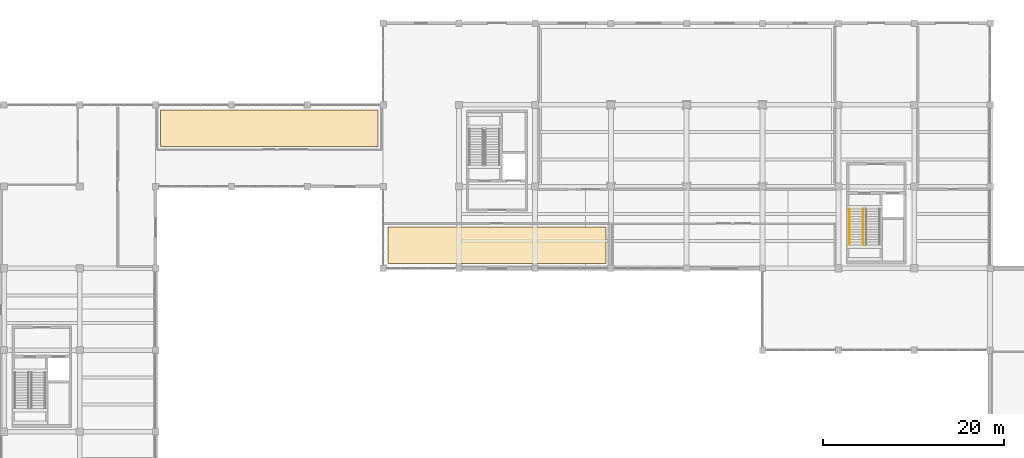
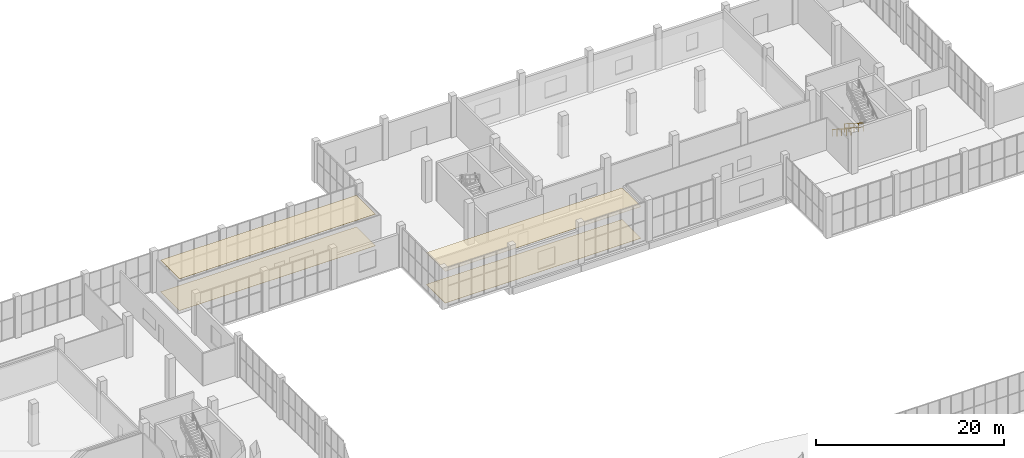
# One storey, part 89 of 91: 4 coverings, 2 railings.
"""IFC4 building model written with IfcOpenShell, lengths in metres."""

from ifc_helpers import new_model, si_unit, direction, frame, origin, origin_2d, place, context, subcontext, project, spatial, polyline, circle, outline, extrude, material, layer, layer_set, type_object, element, save


model = new_model("IFC4")

# Units and contexts
model_context = context("Model", 3, precision=1e-05, world=origin(), true_north=direction((0.0, 1.0)))
body_context = subcontext(model_context, "Body", "Model", "MODEL_VIEW")
ifc_project = project(units=[si_unit("LENGTHUNIT", "METRE"), si_unit("AREAUNIT", "SQUARE_METRE"), si_unit("VOLUMEUNIT", "CUBIC_METRE"), si_unit("PLANEANGLEUNIT", "RADIAN"), si_unit("MASSUNIT", "GRAM", prefix="KILO")], contexts=[model_context])

# Site, building, storey
site_placement = place(None, origin())
site = spatial("IfcSite", under=ifc_project, at=site_placement, CompositionType="ELEMENT")
building_placement = place(site_placement, origin())
building = spatial("IfcBuilding", under=site, at=building_placement, Name="Khurvash Pelagic Aquarium", CompositionType="ELEMENT")
storey_placement = place(building_placement, origin())
storey = spatial("IfcBuildingStorey", under=building, at=storey_placement, Name="L00", CompositionType="ELEMENT", Elevation=0.0)

# Coverings
ifc_material_1 = material(Name="Moisture-resistant acoustic mineral-fibre ceiling", Category="finish")
ifc_layer_1 = layer(ifc_material_1, 0.02490234375)
ifc_layer_set_1 = layer_set([ifc_layer_1], Name="Moisture-resistant acoustic mineral-fibre ceiling")
covering_type_1 = type_object("IfcCoveringType", Name="CV-CLG", PredefinedType="CEILING", material=ifc_layer_set_1)
covering_1_placement = place(storey_placement, frame((0.0, 0.0, 4.114990234375)))
element("IfcCovering", 1, at=covering_1_placement, inside=storey, type_object=covering_type_1, Name="L00 Dry Feed and Salt Bag Store Suspended Acoustic Ceiling", PredefinedType="CEILING", context=body_context, shape_type="SweptSolid", body=[
    extrude(outline(polyline([(58.25, 97.550048828125), (58.25, 101.60009765625), (34.14990234375, 101.60009765625), (34.14990234375, 97.550048828125), (58.25, 97.550048828125)])), origin(), (0.0, 0.0, 1.0), 0.02490234375),
])
covering_2_placement = place(storey_placement, frame((0.0, 0.0, 4.114990234375)))
element("IfcCovering", 2, at=covering_2_placement, inside=storey, type_object=covering_type_1, Name="L00 Primary Marine Quarantine Tank Suite Suspended Acoustic Ceiling", PredefinedType="CEILING", context=body_context, shape_type="SweptSolid", body=[
    extrude(outline(polyline([(83.449951171875, 84.60009765625), (83.449951171875, 88.64990234375), (59.35009765625, 88.64990234375), (59.35009765625, 84.60009765625), (83.449951171875, 84.60009765625)])), origin(), (0.0, 0.0, 1.0), 0.02490234375),
])
ifc_material_2 = material(Name="Slip-resistant terrazzo and epoxy resin flooring", Category="finish")
ifc_layer_2 = layer(ifc_material_2, 0.02001953125)
ifc_layer_set_2 = layer_set([ifc_layer_2], Name="Slip-resistant terrazzo and epoxy resin flooring")
covering_type_2 = type_object("IfcCoveringType", Name="CV-FLR", PredefinedType="FLOORING", material=ifc_layer_set_2)
covering_3_placement = place(storey_placement, origin())
element("IfcCovering", 3, at=covering_3_placement, inside=storey, type_object=covering_type_2, Name="L00 Dry Feed and Salt Bag Store Terrazzo Floor Finish", PredefinedType="FLOORING", context=body_context, shape_type="SweptSolid", body=[
    extrude(outline(polyline([(58.25, 97.550048828125), (58.25, 101.60009765625), (34.14990234375, 101.60009765625), (34.14990234375, 97.550048828125), (58.25, 97.550048828125)])), origin(), (0.0, 0.0, 1.0), 0.02001953125),
])
covering_4_placement = place(storey_placement, origin())
element("IfcCovering", 4, at=covering_4_placement, inside=storey, type_object=covering_type_2, Name="L00 Primary Marine Quarantine Tank Suite Terrazzo Floor Finish", PredefinedType="FLOORING", context=body_context, shape_type="SweptSolid", body=[
    extrude(outline(polyline([(83.449951171875, 84.60009765625), (83.449951171875, 88.64990234375), (59.35009765625, 88.64990234375), (59.35009765625, 84.60009765625), (83.449951171875, 84.60009765625)])), origin(), (0.0, 0.0, 1.0), 0.02001953125),
])

# Railings
ifc_material_3 = material(Name="Powder-coated galvanised steel S355J2", Category="steel")
railing_type_1 = type_object("IfcRailingType", Name="GR-01", PredefinedType="GUARDRAIL", material=ifc_material_3)
railing_1_placement = place(storey_placement, frame((111.949951171875, 90.64990234375, 0.179931640625)))
element("IfcRailing", 5, at=railing_1_placement, inside=storey, type_object=railing_type_1, Name="L00 ST-06 stair guard 1", PredefinedType="GUARDRAIL", context=body_context, shape_type="SweptSolid", body=[
    extrude(circle(Radius=0.02392578125, at=origin_2d()), frame((0.0, 0.0, 1.076171875), z_axis=(0.0, -0.845486444383, 0.533996884227), x_axis=(1.0, 0.0, 0.0)), (0.0, 0.0, 1.0), 4.71923828125),
    extrude(circle(Radius=0.02392578125, at=origin_2d()), frame((0.0, 0.0, 0.5380859375), z_axis=(0.0, -0.845486444383, 0.533996884227), x_axis=(1.0, 0.0, 0.0)), (0.0, 0.0, 1.0), 4.71923828125),
    extrude(circle(Radius=0.02099609375, at=origin_2d()), origin(), (0.0, 0.0, 1.0), 1.052001953125),
    extrude(circle(Radius=0.02099609375, at=origin_2d()), frame((0.0, -0.99755859375, 0.6298828125)), (0.0, 0.0, 1.0), 1.052001953125),
    extrude(circle(Radius=0.02099609375, at=origin_2d()), frame((0.0, -1.9951171875, 1.260009765625)), (0.0, 0.0, 1.0), 1.052001953125),
    extrude(circle(Radius=0.02099609375, at=origin_2d()), frame((0.0, -2.992431640625, 1.89013671875)), (0.0, 0.0, 1.0), 1.052001953125),
    extrude(circle(Radius=0.02099609375, at=origin_2d()), frame((0.0, -3.989990234375, 2.52001953125)), (0.0, 0.0, 1.0), 1.052001953125),
])
ifc_material_4 = material(Name="Brushed stainless steel 316", Category="steel")
railing_type_2 = type_object("IfcRailingType", Name="HR-01", PredefinedType="HANDRAIL", material=ifc_material_4)
railing_2_placement = place(storey_placement, frame((110.449951171875, 90.64990234375, 0.179931640625)))
element("IfcRailing", 6, at=railing_2_placement, inside=storey, type_object=railing_type_2, Name="L00 ST-06 stair handrail 1", PredefinedType="HANDRAIL", context=body_context, shape_type="SweptSolid", body=[
    extrude(circle(Radius=0.02392578125, at=origin_2d()), frame((0.0, 0.0, 0.8759765625), z_axis=(0.0, -0.845486444383, 0.533996884227), x_axis=(1.0, 0.0, 0.0)), (0.0, 0.0, 1.0), 4.71923828125),
    extrude(circle(Radius=0.02099609375, at=origin_2d()), origin(), (0.0, 0.0, 1.0), 0.851806640625),
    extrude(circle(Radius=0.02099609375, at=origin_2d()), frame((0.0, -0.99755859375, 0.6298828125)), (0.0, 0.0, 1.0), 0.851806640625),
    extrude(circle(Radius=0.02099609375, at=origin_2d()), frame((0.0, -1.9951171875, 1.260009765625)), (0.0, 0.0, 1.0), 0.851806640625),
    extrude(circle(Radius=0.02099609375, at=origin_2d()), frame((0.0, -2.992431640625, 1.89013671875)), (0.0, 0.0, 1.0), 0.851806640625),
    extrude(circle(Radius=0.02099609375, at=origin_2d()), frame((0.0, -3.989990234375, 2.52001953125)), (0.0, 0.0, 1.0), 0.851806640625),
])

save(model, "model.ifc")
